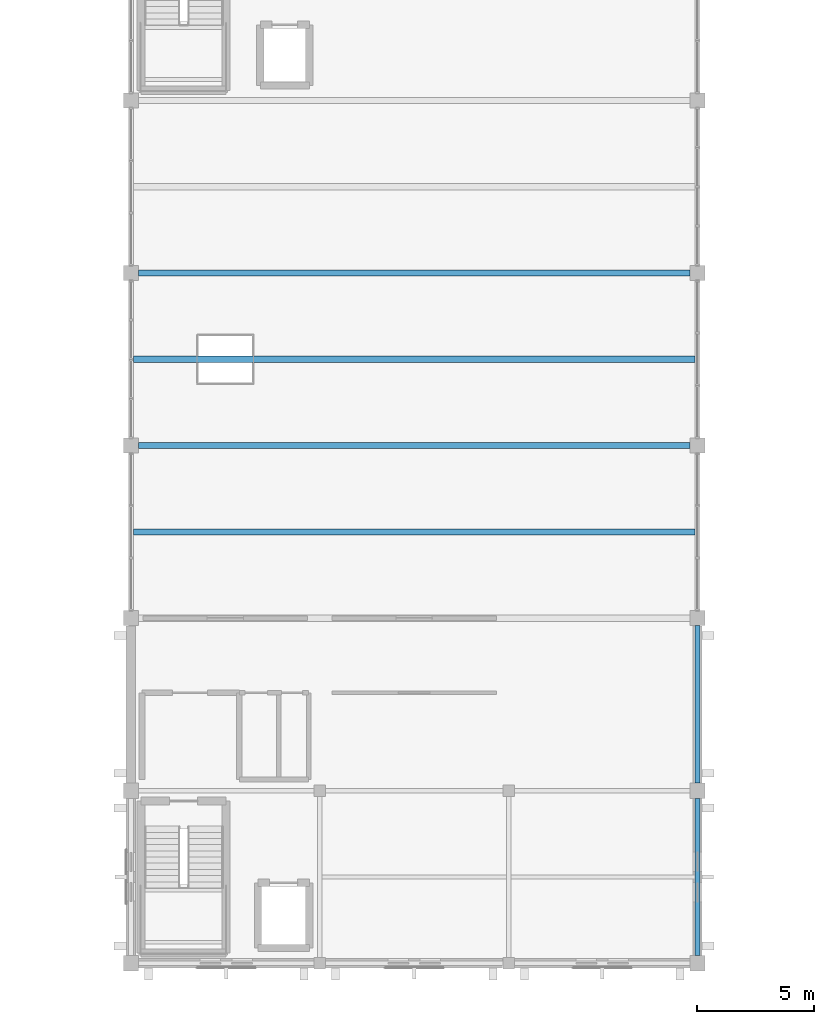
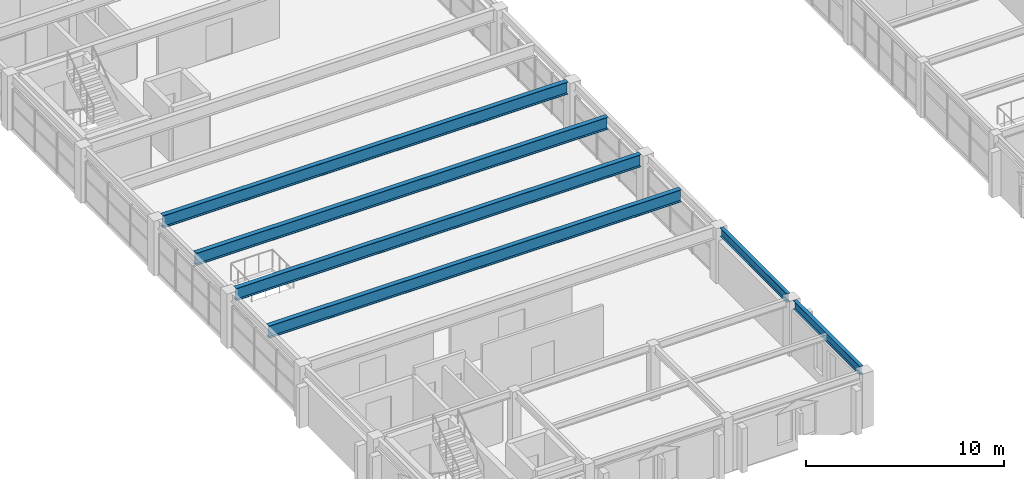
# One storey, part 33 of 93: 6 beams.
"""IFC4 building model written with IfcOpenShell, lengths in metres."""

from ifc_helpers import new_model, si_unit, direction, frame, origin, origin_2d, place, context, subcontext, project, spatial, i_section, extrude, material, material_profile, profile_set, type_object, element, save


model = new_model("IFC4")

# Units and contexts
model_context = context("Model", 3, precision=1e-05, world=origin(), true_north=direction((0.0, 1.0)))
body_context = subcontext(model_context, "Body", "Model", "MODEL_VIEW")
ifc_project = project(units=[si_unit("LENGTHUNIT", "METRE"), si_unit("AREAUNIT", "SQUARE_METRE"), si_unit("VOLUMEUNIT", "CUBIC_METRE"), si_unit("PLANEANGLEUNIT", "RADIAN"), si_unit("MASSUNIT", "GRAM", prefix="KILO")], contexts=[model_context])

# Site, building, storey
site_placement = place(None, origin())
site = spatial("IfcSite", under=ifc_project, at=site_placement, CompositionType="ELEMENT")
building_placement = place(site_placement, origin())
building = spatial("IfcBuilding", under=site, at=building_placement, Name="Cimatlan Art Gallery", CompositionType="ELEMENT")
storey_placement = place(building_placement, frame((0.0, 0.0, 13.800048828125)))
storey = spatial("IfcBuildingStorey", under=building, at=storey_placement, Name="L03", CompositionType="ELEMENT", Elevation=13.800048828125)

# Beams
ifc_material = material(Name="Steel ASTM A992 Grade 50", Category="steel")
ifc_material_profile_1 = material_profile(ifc_material, i_section(OverallWidth=0.26708984375, OverallDepth=0.761962890625, WebThickness=0.014404296875, FlangeThickness=0.021484375, at=origin_2d()), Name="W30X116")
ifc_profile_set_1 = profile_set([ifc_material_profile_1], Name="Steel ASTM A992 Grade 50")
beam_type_1 = type_object("IfcBeamType", Name="BM-SPAN24-L04", PredefinedType="BEAM", material=ifc_profile_set_1)
beam_1_placement = place(storey_placement, frame((75.0048828125, 42.39990234375, 2.9990234375), z_axis=(1.0, 0.0, 0.0), x_axis=(0.0, 1.0, 0.0)))
element("IfcBeam", 1, at=beam_1_placement, inside=storey, type_object=beam_type_1, Name="BM-SP24M-L03-05", PredefinedType="BEAM", context=body_context, shape_type="SweptSolid", body=[
    extrude(i_section(OverallWidth=0.26708984375, OverallDepth=0.761962890625, WebThickness=0.014404296875, FlangeThickness=0.021484375, at=origin_2d()), origin(), (0.0, 0.0, 1.0), 24.090087890625),
])
beam_2_placement = place(storey_placement, frame((75.22509765625, 46.10009765625, 2.9990234375), z_axis=(1.0, 0.0, 0.0), x_axis=(0.0, 1.0, 0.0)))
element("IfcBeam", 2, at=beam_2_placement, inside=storey, type_object=beam_type_1, Name="BM-SP24-L03-06", PredefinedType="BEAM", context=body_context, shape_type="SweptSolid", body=[
    extrude(i_section(OverallWidth=0.26708984375, OverallDepth=0.761962890625, WebThickness=0.014404296875, FlangeThickness=0.021484375, at=origin_2d()), origin(), (0.0, 0.0, 1.0), 23.64990234375),
])
beam_3_placement = place(storey_placement, frame((75.0048828125, 49.800048828125, 2.9990234375), z_axis=(1.0, 0.0, 0.0), x_axis=(0.0, 1.0, 0.0)))
element("IfcBeam", 3, at=beam_3_placement, inside=storey, type_object=beam_type_1, Name="BM-SP24M-L03-06", PredefinedType="BEAM", context=body_context, shape_type="SweptSolid", body=[
    extrude(i_section(OverallWidth=0.26708984375, OverallDepth=0.761962890625, WebThickness=0.014404296875, FlangeThickness=0.021484375, at=origin_2d()), origin(), (0.0, 0.0, 1.0), 24.090087890625),
])
beam_4_placement = place(storey_placement, frame((75.22509765625, 53.5, 2.9990234375), z_axis=(1.0, 0.0, 0.0), x_axis=(0.0, 1.0, 0.0)))
element("IfcBeam", 4, at=beam_4_placement, inside=storey, type_object=beam_type_1, Name="BM-SP24-L03-07", PredefinedType="BEAM", context=body_context, shape_type="SweptSolid", body=[
    extrude(i_section(OverallWidth=0.26708984375, OverallDepth=0.761962890625, WebThickness=0.014404296875, FlangeThickness=0.021484375, at=origin_2d()), origin(), (0.0, 0.0, 1.0), 23.64990234375),
])
ifc_material_profile_2 = material_profile(ifc_material, i_section(OverallWidth=0.2099609375, OverallDepth=0.532958984375, WebThickness=0.01025390625, FlangeThickness=0.015625, at=origin_2d()), Name="W21X62")
ifc_profile_set_2 = profile_set([ifc_material_profile_2], Name="Steel ASTM A992 Grade 50")
beam_type_2 = type_object("IfcBeamType", Name="BM-STL-W21X62", PredefinedType="BEAM", material=ifc_profile_set_2)
for number, where, z_axis, x_axis, name in (
    (5, (99.199951171875, 24.22509765625, 3.113525390625), (0.0, 1.0, 0.0), (-1.0, 0.0, 0.0), "BM-Y-L03-12-03"),
    (6, (99.199951171875, 31.625, 3.113525390625), (0.0, 1.0, 0.0), (-1.0, 0.0, 0.0), "BM-Y-L03-12-04"),
):
    element("IfcBeam", number, at=place(storey_placement, frame(where, z_axis=z_axis, x_axis=x_axis)), inside=storey, type_object=beam_type_2, Name=name, PredefinedType="BEAM", context=body_context, shape_type="SweptSolid", body=[
        extrude(i_section(OverallWidth=0.2099609375, OverallDepth=0.532958984375, WebThickness=0.01025390625, FlangeThickness=0.015625, at=origin_2d()), origin(), (0.0, 0.0, 1.0), 6.75),
    ])

save(model, "model.ifc")
